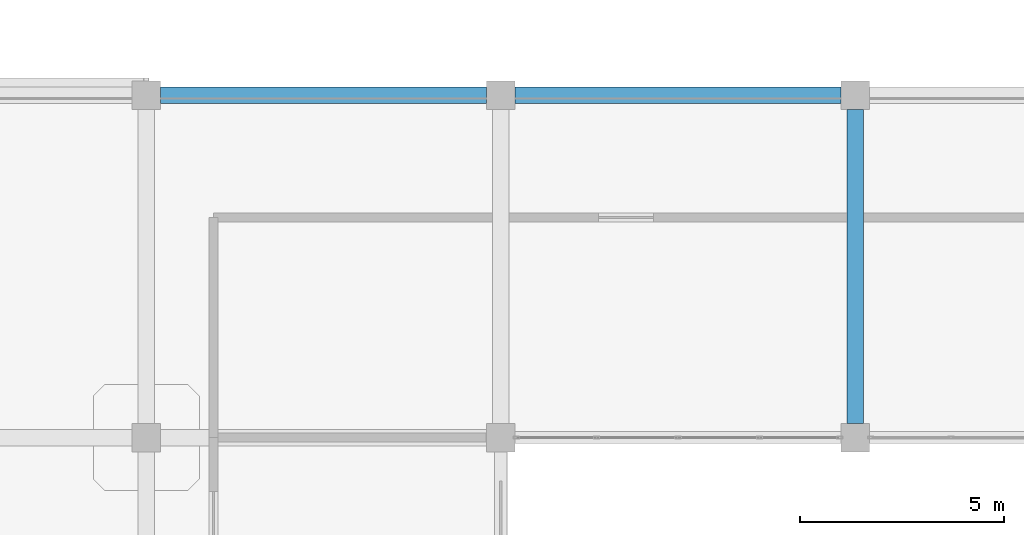
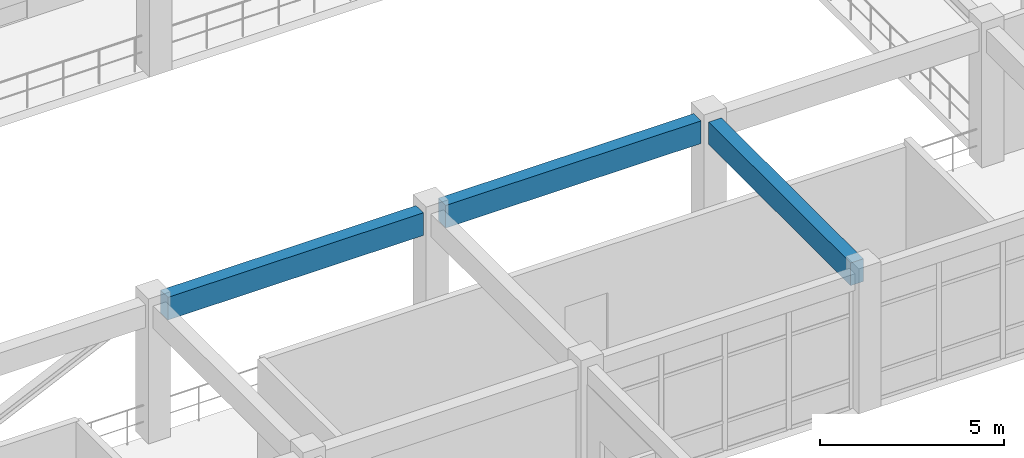
# One storey, part 25 of 76: 3 beams.
"""IFC4 building model written with IfcOpenShell, lengths in metres."""

from ifc_helpers import new_model, si_unit, derived_unit, direction, frame, origin, origin_2d, place, context, subcontext, project, spatial, rectangle, extrude, material, material_profile, profile_set, type_object, element, save


model = new_model("IFC4")

# Units and contexts
model_context = context("Model", 3, precision=1e-05, world=origin(), true_north=direction((0.0, 1.0)))
body_context = subcontext(model_context, "Body", "Model", "MODEL_VIEW")
ifc_project = project(units=[si_unit("LENGTHUNIT", "METRE"), si_unit("AREAUNIT", "SQUARE_METRE"), si_unit("VOLUMEUNIT", "CUBIC_METRE"), si_unit("PLANEANGLEUNIT", "RADIAN"), si_unit("MASSUNIT", "GRAM", prefix="KILO"), derived_unit("THERMALTRANSMITTANCEUNIT", [(si_unit("MASSUNIT", "GRAM", prefix="KILO"), 1), (si_unit("TIMEUNIT", "SECOND"), -3), (si_unit("THERMODYNAMICTEMPERATUREUNIT", "KELVIN"), -1)])], contexts=[model_context])

# Site, building, storey
site_placement = place(None, origin())
site = spatial("IfcSite", under=ifc_project, at=site_placement, CompositionType="ELEMENT")
building_placement = place(site_placement, origin())
building = spatial("IfcBuilding", under=site, at=building_placement, Name="Qinzheling Arcade Emporium", CompositionType="ELEMENT")
storey_placement = place(building_placement, frame((0.0, 0.0, 26.699951171875)))
storey = spatial("IfcBuildingStorey", under=building, at=storey_placement, Name="L06", CompositionType="ELEMENT", Elevation=26.699951171875)

# Beams
ifc_material = material(Name="Concrete C40", Category="concrete")
ifc_material_profile = material_profile(ifc_material, rectangle(XDim=0.39990234375, YDim=0.75, at=origin_2d()), Name="RC 400x750", Category="concrete")
ifc_profile_set = profile_set([ifc_material_profile], Name="Concrete C40")
beam_type = type_object("IfcBeamType", Name="RC Interior Tie Beam 400x750 C40", PredefinedType="BEAM", material=ifc_profile_set)
for number, where, z_axis, x_axis, name in (
    (1, (61.25, 50.39990234375, 4.14501953125), (1.0, 0.0, 0.0), (0.0, 1.0, 0.0), "Beam BM-L06-X-G-8"),
    (2, (69.949951171875, 50.39990234375, 4.14501953125), (1.0, 0.0, 0.0), (0.0, 1.0, 0.0), "Beam BM-L06-X-G-9"),
):
    element("IfcBeam", number, at=place(storey_placement, frame(where, z_axis=z_axis, x_axis=x_axis)), inside=storey, type_object=beam_type, Name=name, PredefinedType="BEAM", context=body_context, shape_type="SweptSolid", body=[
        extrude(rectangle(XDim=0.39990234375, YDim=0.75, at=origin_2d()), origin(), (0.0, 0.0, 1.0), 8.0),
    ])
beam_placement = place(storey_placement, frame((78.300048828125, 42.35009765625, 4.14501953125), z_axis=(0.0, 1.0, 0.0), x_axis=(-1.0, 0.0, 0.0)))
element("IfcBeam", 3, at=beam_placement, inside=storey, type_object=beam_type, Name="Beam BM-L06-Y-10-F", PredefinedType="BEAM", context=body_context, shape_type="SweptSolid", body=[
    extrude(rectangle(XDim=0.39990234375, YDim=0.75, at=origin_2d()), origin(), (0.0, 0.0, 1.0), 7.699951171875),
])

save(model, "model.ifc")
